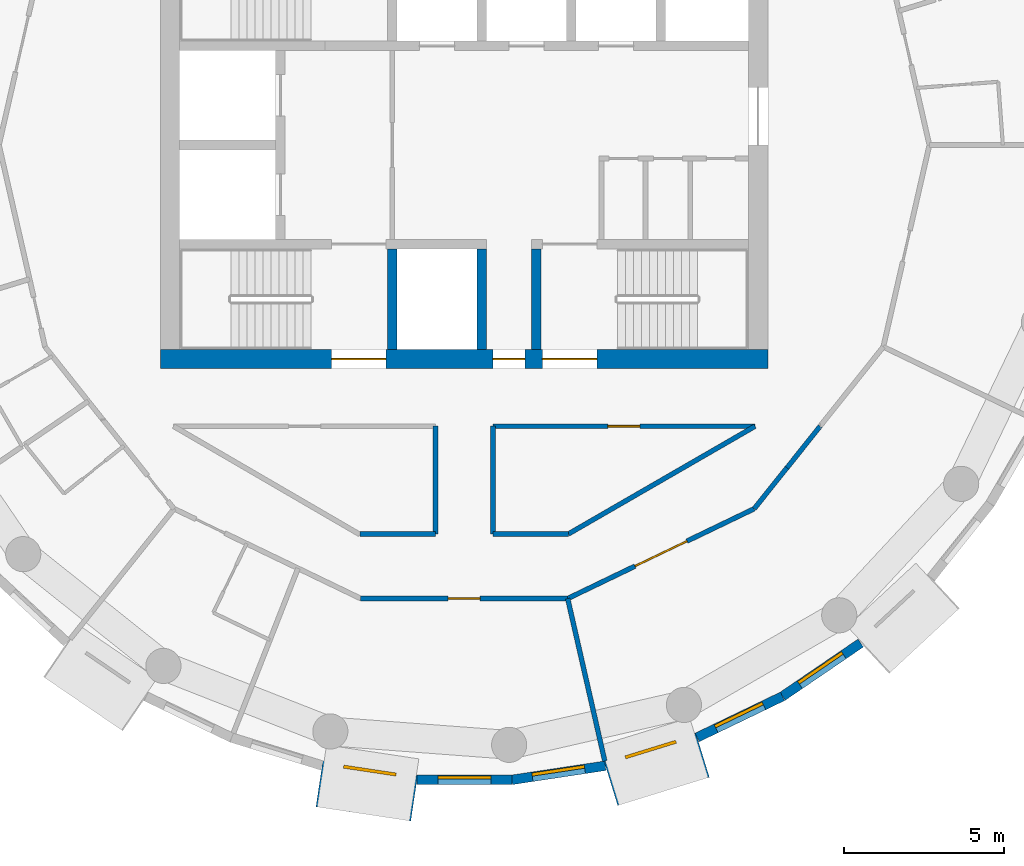
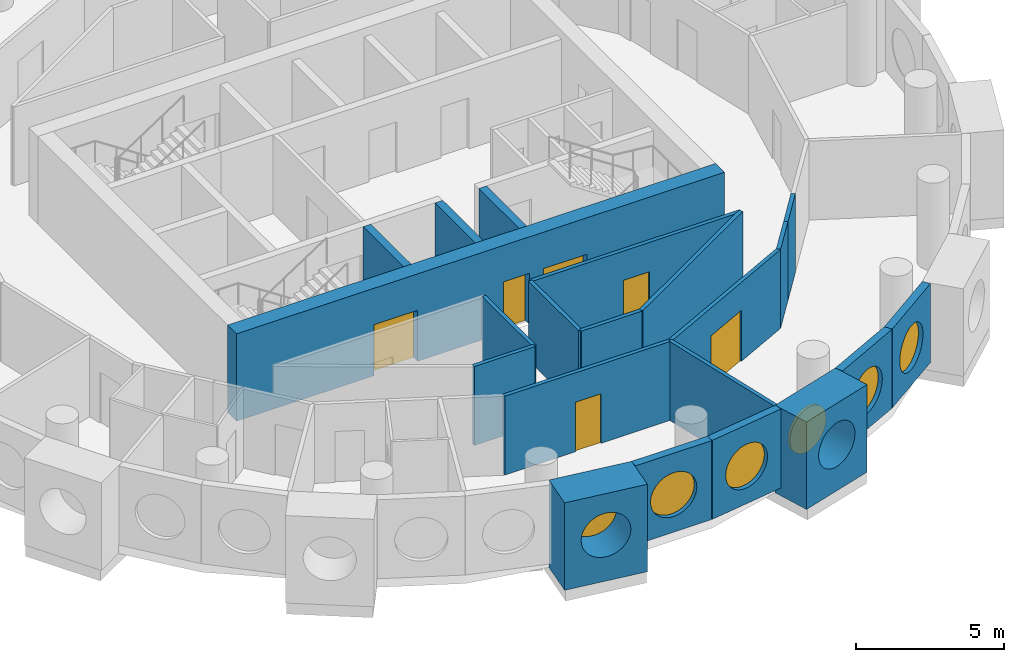
# One storey, part 4 of 13: 21 walls, 6 doors, 6 windows, 12 openings.
"""IFC4 building model written with IfcOpenShell, lengths in metres."""

from ifc_helpers import new_model, si_unit, direction, frame, frame_2d, origin, origin_2d, place, context, subcontext, project, spatial, rectangle, circle, extrude, material, layer, layer_set, type_object, element, fill, save


model = new_model("IFC4")

# Units and contexts
model_context = context("Model", 3, precision=1e-05, world=origin(), true_north=direction((0.0, 1.0)))
body_context = subcontext(model_context, "Body", "Model", "MODEL_VIEW")
ifc_project = project(units=[si_unit("LENGTHUNIT", "METRE"), si_unit("AREAUNIT", "SQUARE_METRE"), si_unit("VOLUMEUNIT", "CUBIC_METRE"), si_unit("PLANEANGLEUNIT", "RADIAN"), si_unit("MASSUNIT", "GRAM", prefix="KILO")], contexts=[model_context])

# Site, building, storey
site_placement = place(None, origin())
site = spatial("IfcSite", under=ifc_project, at=site_placement, CompositionType="ELEMENT")
building_placement = place(site_placement, origin())
building = spatial("IfcBuilding", under=site, at=building_placement, Name="Tracery Tower", CompositionType="ELEMENT")
storey_placement = place(building_placement, frame((0.0, 0.0, 252.60009765625)))
storey = spatial("IfcBuildingStorey", under=building, at=storey_placement, Name="L65", CompositionType="ELEMENT", Elevation=252.60009765625)

# Wall, openings, doors
ifc_material_1 = material(Name="Concrete C40/50", Category="concrete")
ifc_layer_1 = layer(ifc_material_1, 0.60009765625)
ifc_layer_set_1 = layer_set([ifc_layer_1], Name="Core wall 600 C40")
wall_type_1 = type_object("IfcWallType", Name="Core wall 600 C40", PredefinedType="SOLIDWALL", material=ifc_layer_set_1)
wall_1_placement = place(storey_placement, frame((-9.5, -6.699951171875, 0.0), z_axis=(0.0, 0.0, 1.0), x_axis=(1.0, 0.0, 0.0)))
wall_1 = element("IfcWall", 1, at=wall_1_placement, inside=storey, type_object=wall_type_1, Name="L65 outer S", PredefinedType="SOLIDWALL", context=body_context, shape_type="SweptSolid", body=[
    extrude(rectangle(XDim=19.0, YDim=0.60009765625, at=frame_2d((9.5, 0.0))), origin(), (0.0, 0.0, 1.0), 3.599853515625),
])
opening_1_placement = place(wall_1_placement, frame((10.39990234375, 0.0, 0.0)))
opening_1 = element("IfcOpeningElement", 2, at=opening_1_placement, cuts=wall_1, Name="Opening KD16", PredefinedType="OPENING", context=body_context, shape_type="SweptSolid", body=[
    extrude(rectangle(XDim=1.0, YDim=2.10009765625, at=frame_2d((0.5, 1.050048828125))), frame((0.0, 0.300048828125, 0.0), z_axis=(0.0, -1.0, 0.0), x_axis=(1.0, 0.0, 0.0)), (0.0, 0.0, 1.0), 0.60009765625),
])
opening_2_placement = place(wall_1_placement, frame((5.35009765625, 0.0, 0.0)))
opening_2 = element("IfcOpeningElement", 3, at=opening_2_placement, cuts=wall_1, Name="Opening KD3", PredefinedType="OPENING", context=body_context, shape_type="SweptSolid", body=[
    extrude(rectangle(XDim=1.699951171875, YDim=2.10009765625, at=frame_2d((0.85009765625, 1.050048828125))), frame((0.0, 0.300048828125, 0.0), z_axis=(0.0, -1.0, 0.0), x_axis=(1.0, 0.0, 0.0)), (0.0, 0.0, 1.0), 0.60009765625),
])
opening_3_placement = place(wall_1_placement, frame((11.949951171875, 0.0, 0.0)))
opening_3 = element("IfcOpeningElement", 4, at=opening_3_placement, cuts=wall_1, Name="Opening KD3", PredefinedType="OPENING", context=body_context, shape_type="SweptSolid", body=[
    extrude(rectangle(XDim=1.699951171875, YDim=2.10009765625, at=frame_2d((0.85009765625, 1.050048828125))), frame((0.0, 0.300048828125, 0.0), z_axis=(0.0, -1.0, 0.0), x_axis=(1.0, 0.0, 0.0)), (0.0, 0.0, 1.0), 0.60009765625),
])
ifc_material_2 = material(Name="Steel fire door", Category="steel")
door_type_1 = type_object("IfcDoorType", Name="Core exit door 1000", OperationType="NOTDEFINED", PredefinedType="DOOR", material=ifc_material_2)
door_1_placement = place(opening_1_placement, origin())
door_1 = element("IfcDoor", 5, at=door_1_placement, inside=storey, type_object=door_type_1, Name="Core exit door", OperationType="SINGLE_SWING_LEFT", OverallHeight=2.10009765625, OverallWidth=1.0, PredefinedType="DOOR", context=body_context, shape_type="SweptSolid", body=[
    extrude(rectangle(XDim=1.0, YDim=2.10009765625, at=frame_2d((0.5, 1.050048828125))), frame((0.0, 0.02490234375, 0.0), z_axis=(0.0, -1.0, 0.0), x_axis=(1.0, 0.0, 0.0)), (0.0, 0.0, 1.0), 0.050048828125),
])
fill(opening_1, door_1)
ifc_material_3 = material(Name="Steel fire door", Category="steel")
door_type_2 = type_object("IfcDoorType", Name="Core stair door 1700 double", OperationType="NOTDEFINED", PredefinedType="DOOR", material=ifc_material_3)
door_2_placement = place(opening_2_placement, origin())
door_2 = element("IfcDoor", 6, at=door_2_placement, inside=storey, type_object=door_type_2, Name="Stair door ST1 exit", OperationType="DOUBLE_DOOR_SINGLE_SWING", OverallHeight=2.10009765625, OverallWidth=1.699951171875, PredefinedType="DOOR", context=body_context, shape_type="SweptSolid", body=[
    extrude(rectangle(XDim=1.699951171875, YDim=2.10009765625, at=frame_2d((0.85009765625, 1.050048828125))), frame((0.0, 0.02490234375, 0.0), z_axis=(0.0, -1.0, 0.0), x_axis=(1.0, 0.0, 0.0)), (0.0, 0.0, 1.0), 0.050048828125),
])
fill(opening_2, door_2)
door_3_placement = place(opening_3_placement, origin())
door_3 = element("IfcDoor", 7, at=door_3_placement, inside=storey, type_object=door_type_2, Name="Stair door ST2 exit", OperationType="DOUBLE_DOOR_SINGLE_SWING", OverallHeight=2.10009765625, OverallWidth=1.699951171875, PredefinedType="DOOR", context=body_context, shape_type="SweptSolid", body=[
    extrude(rectangle(XDim=1.699951171875, YDim=2.10009765625, at=frame_2d((0.85009765625, 1.050048828125))), frame((0.0, 0.02490234375, 0.0), z_axis=(0.0, -1.0, 0.0), x_axis=(1.0, 0.0, 0.0)), (0.0, 0.0, 1.0), 0.050048828125),
])
fill(opening_3, door_3)

# Wall, opening, window
ifc_material_4 = material(Name="Precast concrete C50/60", Category="concrete")
ifc_layer_2 = layer(ifc_material_4, 1.449951171875)
ifc_layer_set_2 = layer_set([ifc_layer_2], Name="Deep-set bay unit 3000 x 3600, slab edge 350")
wall_type_2 = type_object("IfcWallType", Name="Deep-set bay unit 3000 x 3600, slab edge 350", PredefinedType="ELEMENTEDWALL", material=ifc_layer_set_2)
wall_2_placement = place(storey_placement, frame((-4.52978515625, -19.9892578125, -0.35009765625), z_axis=(0.0, 0.0, 1.0), x_axis=(0.988836445254, -0.149004981587, 0.0)))
wall_2 = element("IfcWall", 8, at=wall_2_placement, inside=storey, type_object=wall_type_2, Name="Deep-set bay unit 31 at L65", PredefinedType="ELEMENTEDWALL", context=body_context, shape_type="SweptSolid", body=[
    extrude(rectangle(XDim=3.0, YDim=1.449951171875, at=frame_2d((1.5, 0.0))), origin(), (0.0, 0.0, 1.0), 3.60009765625),
])
opening_4_placement = place(wall_2_placement, frame((1.5, 0.0, 1.89990234375)))
opening_4 = element("IfcOpeningElement", 9, at=opening_4_placement, cuts=wall_2, Name="Opening WN1", PredefinedType="OPENING", context=body_context, shape_type="SweptSolid", body=[
    extrude(circle(Radius=0.9000244140625, at=origin_2d()), frame((0.0, 0.73486328125, 0.0), z_axis=(0.0, -1.0, 0.0), x_axis=(1.0, 0.0, 0.0)), (0.0, 0.0, 1.0), 1.469970703125),
])
ifc_material_5 = material(Name="Aluminium frame with tinted double glazing", Category="aluminium")
window_type = type_object("IfcWindowType", Name="Round window 1800", PartitioningType="SINGLE_PANEL", PredefinedType="WINDOW", material=ifc_material_5)
window_1_placement = place(opening_4_placement, origin())
window_1 = element("IfcWindow", 10, at=window_1_placement, inside=storey, type_object=window_type, Name="Round window 31 at L65", OverallHeight=1.800048828125, OverallWidth=1.800048828125, PartitioningType="SINGLE_PANEL", PredefinedType="WINDOW", context=body_context, shape_type="SweptSolid", body=[
    extrude(circle(Radius=0.9000244140625, at=origin_2d()), frame((0.0, 0.69482421875, 0.0), z_axis=(0.0, -1.0, 0.0), x_axis=(1.0, 0.0, 0.0)), (0.0, 0.0, 1.0), 0.10009765625),
])
fill(opening_4, window_1)

wall_3_placement = place(storey_placement, frame((4.591796875, -19.97509765625, -0.35009765625), z_axis=(0.0, 0.0, 1.0), x_axis=(0.955571139978, 0.294760574774, 0.0)))
wall_3 = element("IfcWall", 11, at=wall_3_placement, inside=storey, type_object=wall_type_2, Name="Deep-set bay unit 34 at L65", PredefinedType="ELEMENTEDWALL", context=body_context, shape_type="SweptSolid", body=[
    extrude(rectangle(XDim=3.0, YDim=1.449951171875, at=frame_2d((1.5, 0.0))), origin(), (0.0, 0.0, 1.0), 3.60009765625),
])
opening_5_placement = place(wall_3_placement, frame((1.5, 0.0, 1.89990234375)))
opening_5 = element("IfcOpeningElement", 12, at=opening_5_placement, cuts=wall_3, Name="Opening WN1", PredefinedType="OPENING", context=body_context, shape_type="SweptSolid", body=[
    extrude(circle(Radius=0.9000244140625, at=origin_2d()), frame((0.0, 0.73486328125, 0.0), z_axis=(0.0, -1.0, 0.0), x_axis=(1.0, 0.0, 0.0)), (0.0, 0.0, 1.0), 1.469970703125),
])
window_2_placement = place(opening_5_placement, origin())
window_2 = element("IfcWindow", 13, at=window_2_placement, inside=storey, type_object=window_type, Name="Round window 34 at L65", OverallHeight=1.800048828125, OverallWidth=1.800048828125, PartitioningType="SINGLE_PANEL", PredefinedType="WINDOW", context=body_context, shape_type="SweptSolid", body=[
    extrude(circle(Radius=0.9000244140625, at=origin_2d()), frame((0.0, 0.69482421875, 0.0), z_axis=(0.0, -1.0, 0.0), x_axis=(1.0, 0.0, 0.0)), (0.0, 0.0, 1.0), 0.10009765625),
])
fill(opening_5, window_2)

ifc_material_6 = material(Name="Precast concrete C50/60", Category="concrete")
ifc_layer_3 = layer(ifc_material_6, 0.300048828125)
ifc_layer_set_3 = layer_set([ifc_layer_3], Name="Facade panel 3000 x 3250")
wall_type_3 = type_object("IfcWallType", Name="Facade panel 3000 x 3250", PredefinedType="SOLIDWALL", material=ifc_layer_set_3)
wall_4_placement = place(storey_placement, frame((-1.473388671875, -19.865966796875, 0.0), z_axis=(0.0, 0.0, 1.0), x_axis=(1.0, 0.0, 0.0)))
wall_4 = element("IfcWall", 14, at=wall_4_placement, inside=storey, type_object=wall_type_3, Name="Facade panel 32 at L65", PredefinedType="SOLIDWALL", context=body_context, shape_type="SweptSolid", body=[
    extrude(rectangle(XDim=2.962158203125, YDim=0.300048828125, at=frame_2d((1.48095703125, 0.0))), origin(), (0.0, 0.0, 1.0), 3.25),
])
opening_6_placement = place(wall_4_placement, frame((1.48095703125, 0.0, 1.5498046875)))
opening_6 = element("IfcOpeningElement", 15, at=opening_6_placement, cuts=wall_4, Name="Opening WN1", PredefinedType="OPENING", context=body_context, shape_type="SweptSolid", body=[
    extrude(circle(Radius=0.9000244140625, at=origin_2d()), frame((0.0, 0.159912109375, 0.0), z_axis=(0.0, -1.0, 0.0), x_axis=(1.0, 0.0, 0.0)), (0.0, 0.0, 1.0), 0.320068359375),
])
window_3_placement = place(opening_6_placement, origin())
window_3 = element("IfcWindow", 16, at=window_3_placement, inside=storey, type_object=window_type, Name="Round window 32 at L65", OverallHeight=1.800048828125, OverallWidth=1.800048828125, PartitioningType="SINGLE_PANEL", PredefinedType="WINDOW", context=body_context, shape_type="SweptSolid", body=[
    extrude(circle(Radius=0.9000244140625, at=origin_2d()), frame((0.0, 0.1201171875, 0.0), z_axis=(0.0, -1.0, 0.0), x_axis=(1.0, 0.0, 0.0)), (0.0, 0.0, 1.0), 0.10009765625),
])
fill(opening_6, window_3)

wall_5_placement = place(storey_placement, frame((1.48876953125, -19.865966796875, 0.0), z_axis=(0.0, 0.0, 1.0), x_axis=(0.988835775663, 0.149009425104, 0.0)))
wall_5 = element("IfcWall", 17, at=wall_5_placement, inside=storey, type_object=wall_type_3, Name="Facade panel 33 at L65", PredefinedType="SOLIDWALL", context=body_context, shape_type="SweptSolid", body=[
    extrude(rectangle(XDim=2.962158203125, YDim=0.300048828125, at=frame_2d((1.48095703125, 0.0))), origin(), (0.0, 0.0, 1.0), 3.25),
])
opening_7_placement = place(wall_5_placement, frame((1.48095703125, 0.0, 1.5498046875)))
opening_7 = element("IfcOpeningElement", 18, at=opening_7_placement, cuts=wall_5, Name="Opening WN1", PredefinedType="OPENING", context=body_context, shape_type="SweptSolid", body=[
    extrude(circle(Radius=0.9000244140625, at=origin_2d()), frame((0.0, 0.159912109375, 0.0), z_axis=(0.0, -1.0, 0.0), x_axis=(1.0, 0.0, 0.0)), (0.0, 0.0, 1.0), 0.320068359375),
])
window_4_placement = place(opening_7_placement, origin())
window_4 = element("IfcWindow", 19, at=window_4_placement, inside=storey, type_object=window_type, Name="Round window 33 at L65", OverallHeight=1.800048828125, OverallWidth=1.800048828125, PartitioningType="SINGLE_PANEL", PredefinedType="WINDOW", context=body_context, shape_type="SweptSolid", body=[
    extrude(circle(Radius=0.9000244140625, at=origin_2d()), frame((0.0, 0.1201171875, 0.0), z_axis=(0.0, -1.0, 0.0), x_axis=(1.0, 0.0, 0.0)), (0.0, 0.0, 1.0), 0.10009765625),
])
fill(opening_7, window_4)

wall_6_placement = place(storey_placement, frame((7.2919921875, -18.5380859375, 0.0), z_axis=(0.0, 0.0, 1.0), x_axis=(0.90095513435, 0.433912255978, 0.0)))
wall_6 = element("IfcWall", 20, at=wall_6_placement, inside=storey, type_object=wall_type_3, Name="Facade panel 35 at L65", PredefinedType="SOLIDWALL", context=body_context, shape_type="SweptSolid", body=[
    extrude(rectangle(XDim=2.96240234375, YDim=0.300048828125, at=frame_2d((1.481201171875, 0.0))), origin(), (0.0, 0.0, 1.0), 3.25),
])
opening_8_placement = place(wall_6_placement, frame((1.48095703125, 0.0, 1.5498046875)))
opening_8 = element("IfcOpeningElement", 21, at=opening_8_placement, cuts=wall_6, Name="Opening WN1", PredefinedType="OPENING", context=body_context, shape_type="SweptSolid", body=[
    extrude(circle(Radius=0.9000244140625, at=origin_2d()), frame((0.0, 0.159912109375, 0.0), z_axis=(0.0, -1.0, 0.0), x_axis=(1.0, 0.0, 0.0)), (0.0, 0.0, 1.0), 0.320068359375),
])
window_5_placement = place(opening_8_placement, origin())
window_5 = element("IfcWindow", 22, at=window_5_placement, inside=storey, type_object=window_type, Name="Round window 35 at L65", OverallHeight=1.800048828125, OverallWidth=1.800048828125, PartitioningType="SINGLE_PANEL", PredefinedType="WINDOW", context=body_context, shape_type="SweptSolid", body=[
    extrude(circle(Radius=0.9000244140625, at=origin_2d()), frame((0.0, 0.1201171875, 0.0), z_axis=(0.0, -1.0, 0.0), x_axis=(1.0, 0.0, 0.0)), (0.0, 0.0, 1.0), 0.10009765625),
])
fill(opening_8, window_5)

wall_7_placement = place(storey_placement, frame((9.9609375, -17.252685546875, 0.0), z_axis=(0.0, 0.0, 1.0), x_axis=(0.826236061068, 0.563324037646, 0.0)))
wall_7 = element("IfcWall", 23, at=wall_7_placement, inside=storey, type_object=wall_type_3, Name="Facade panel 36 at L65", PredefinedType="SOLIDWALL", context=body_context, shape_type="SweptSolid", body=[
    extrude(rectangle(XDim=2.962158203125, YDim=0.300048828125, at=frame_2d((1.48095703125, 0.0))), origin(), (0.0, 0.0, 1.0), 3.25),
])
opening_9_placement = place(wall_7_placement, frame((1.48095703125, 0.0, 1.5498046875)))
opening_9 = element("IfcOpeningElement", 24, at=opening_9_placement, cuts=wall_7, Name="Opening WN1", PredefinedType="OPENING", context=body_context, shape_type="SweptSolid", body=[
    extrude(circle(Radius=0.9000244140625, at=origin_2d()), frame((0.0, 0.159912109375, 0.0), z_axis=(0.0, -1.0, 0.0), x_axis=(1.0, 0.0, 0.0)), (0.0, 0.0, 1.0), 0.320068359375),
])
window_6_placement = place(opening_9_placement, origin())
window_6 = element("IfcWindow", 25, at=window_6_placement, inside=storey, type_object=window_type, Name="Round window 36 at L65", OverallHeight=1.800048828125, OverallWidth=1.800048828125, PartitioningType="SINGLE_PANEL", PredefinedType="WINDOW", context=body_context, shape_type="SweptSolid", body=[
    extrude(circle(Radius=0.9000244140625, at=origin_2d()), frame((0.0, 0.1201171875, 0.0), z_axis=(0.0, -1.0, 0.0), x_axis=(1.0, 0.0, 0.0)), (0.0, 0.0, 1.0), 0.10009765625),
])
fill(opening_9, window_6)

# Wall
ifc_material_7 = material(Name="Plasterboard on steel studs", Category="steel")
ifc_layer_4 = layer(ifc_material_7, 0.14990234375)
ifc_layer_set_4 = layer_set([ifc_layer_4], Name="Partition 150 acoustic unit wall")
wall_type_4 = type_object("IfcWallType", Name="Partition 150 acoustic unit wall", PredefinedType="PARTITIONING", material=ifc_layer_set_4)
wall_8_placement = place(storey_placement, frame((3.239013671875, -14.19189453125, 0.0), z_axis=(0.0, 0.0, 1.0), x_axis=(0.222612505682, -0.974907007008, 0.0)))
element("IfcWall", 26, at=wall_8_placement, inside=storey, type_object=wall_type_4, Name="Unit wall RC3-080", PredefinedType="PARTITIONING", context=body_context, shape_type="SweptSolid", body=[
    extrude(rectangle(XDim=5.21484375, YDim=0.14990234375, at=frame_2d((2.607421875, 0.0))), origin(), (0.0, 0.0, 1.0), 3.25),
])

# Wall, opening, door
ifc_material_8 = material(Name="Plasterboard on steel studs", Category="steel")
ifc_layer_5 = layer(ifc_material_8, 0.14990234375)
ifc_layer_set_5 = layer_set([ifc_layer_5], Name="Partition 150 corridor wall")
wall_type_5 = type_object("IfcWallType", Name="Partition 150 corridor wall", PredefinedType="PARTITIONING", material=ifc_layer_set_5)
wall_9_placement = place(storey_placement, frame((0.89599609375, -8.800048828125, 0.0), z_axis=(0.0, 0.0, 1.0), x_axis=(1.0, 0.0, 0.0)))
wall_9 = element("IfcWall", 27, at=wall_9_placement, inside=storey, type_object=wall_type_5, Name="Corridor wall RC3-014", PredefinedType="PARTITIONING", context=body_context, shape_type="SweptSolid", body=[
    extrude(rectangle(XDim=8.20458984375, YDim=0.14990234375, at=frame_2d((4.102294921875, 0.0))), origin(), (0.0, 0.0, 1.0), 3.25),
])
opening_10_placement = place(wall_9_placement, frame((3.597900390625, 0.0, 0.0)))
opening_10 = element("IfcOpeningElement", 28, at=opening_10_placement, cuts=wall_9, Name="Opening RC3-04", PredefinedType="OPENING", context=body_context, shape_type="SweptSolid", body=[
    extrude(rectangle(XDim=1.0, YDim=2.0400390625, at=frame_2d((0.5, 1.02001953125))), frame((0.0, 0.074951171875, 0.0), z_axis=(0.0, -1.0, 0.0), x_axis=(1.0, 0.0, 0.0)), (0.0, 0.0, 1.0), 0.14990234375),
])
ifc_material_9 = material(Name="Timber door leaf", Category="wood")
door_type_3 = type_object("IfcDoorType", Name="Door communal room 1000", OperationType="NOTDEFINED", PredefinedType="DOOR", material=ifc_material_9)
door_4_placement = place(opening_10_placement, origin())
door_4 = element("IfcDoor", 29, at=door_4_placement, inside=storey, type_object=door_type_3, Name="Communal room door RC3-04", OperationType="SINGLE_SWING_RIGHT", OverallHeight=2.0400390625, OverallWidth=1.0, PredefinedType="DOOR", context=body_context, shape_type="SweptSolid", body=[
    extrude(rectangle(XDim=1.0, YDim=2.0400390625, at=frame_2d((0.5, 1.02001953125))), frame((0.0, 0.02490234375, 0.0), z_axis=(0.0, -1.0, 0.0), x_axis=(1.0, 0.0, 0.0)), (0.0, 0.0, 1.0), 0.050048828125),
])
fill(opening_10, door_4)

# Walls
wall_10_placement = place(storey_placement, frame((10.10107421875, -10.10107421875, 0.0), z_axis=(0.0, 0.0, 1.0), x_axis=(0.623098344652, 0.782143498913, 0.0)))
element("IfcWall", 30, at=wall_10_placement, inside=storey, type_object=wall_type_5, Name="Corridor wall RC3-020", PredefinedType="PARTITIONING", context=body_context, shape_type="SweptSolid", body=[
    extrude(rectangle(XDim=1.660888671875, YDim=0.14990234375, at=frame_2d((0.83056640625, 0.0))), origin(), (0.0, 0.0, 1.0), 3.25),
])
wall_11_placement = place(storey_placement, frame((-3.260986328125, -12.1708984375, 0.0), z_axis=(0.0, 0.0, 1.0), x_axis=(1.0, 0.0, 0.0)))
element("IfcWall", 31, at=wall_11_placement, inside=storey, type_object=wall_type_5, Name="Corridor wall RC3-038", PredefinedType="PARTITIONING", context=body_context, shape_type="SweptSolid", body=[
    extrude(rectangle(XDim=2.361083984375, YDim=0.14990234375, at=frame_2d((1.1806640625, 0.0))), origin(), (0.0, 0.0, 1.0), 3.25),
])
for number, where, z_axis, x_axis, name in (
    (32, (-0.89990234375, -12.1708984375, 0.0), (0.0, 0.0, 1.0), (0.0, 1.0, 0.0), "Corridor wall RC3-039"),
    (33, (0.89990234375, -12.1708984375, 0.0), (0.0, 0.0, 1.0), (0.0, 1.0, 0.0), "Corridor wall RC3-040"),
):
    element("IfcWall", number, at=place(storey_placement, frame(where, z_axis=z_axis, x_axis=x_axis)), inside=storey, type_object=wall_type_5, Name=name, PredefinedType="PARTITIONING", context=body_context, shape_type="SweptSolid", body=[
        extrude(rectangle(XDim=3.370849609375, YDim=0.14990234375, at=frame_2d((1.685546875, 0.0))), origin(), (0.0, 0.0, 1.0), 3.25),
    ])
wall_12_placement = place(storey_placement, frame((0.89990234375, -12.1708984375, 0.0), z_axis=(0.0, 0.0, 1.0), x_axis=(1.0, 0.0, 0.0)))
element("IfcWall", 34, at=wall_12_placement, inside=storey, type_object=wall_type_5, Name="Corridor wall RC3-041", PredefinedType="PARTITIONING", context=body_context, shape_type="SweptSolid", body=[
    extrude(rectangle(XDim=2.361083984375, YDim=0.14990234375, at=frame_2d((1.1806640625, 0.0))), origin(), (0.0, 0.0, 1.0), 3.25),
])
wall_13_placement = place(storey_placement, frame((3.260986328125, -12.1708984375, 0.0), z_axis=(0.0, 0.0, 1.0), x_axis=(0.866066809554, 0.499928276245, 0.0)))
element("IfcWall", 35, at=wall_13_placement, inside=storey, type_object=wall_type_5, Name="Corridor wall RC3-042", PredefinedType="PARTITIONING", context=body_context, shape_type="SweptSolid", body=[
    extrude(rectangle(XDim=6.74267578125, YDim=0.14990234375, at=frame_2d((3.371337890625, 0.0))), origin(), (0.0, 0.0, 1.0), 3.25),
])

# Wall, opening, door
wall_14_placement = place(storey_placement, frame((-3.239013671875, -14.19189453125, 0.0), z_axis=(0.0, 0.0, 1.0), x_axis=(1.0, 0.0, 0.0)))
wall_14 = element("IfcWall", 36, at=wall_14_placement, inside=storey, type_object=wall_type_5, Name="Corridor wall RC3-044", PredefinedType="PARTITIONING", context=body_context, shape_type="SweptSolid", body=[
    extrude(rectangle(XDim=6.47802734375, YDim=0.14990234375, at=frame_2d((3.239013671875, 0.0))), origin(), (0.0, 0.0, 1.0), 3.25),
])
opening_11_placement = place(wall_14_placement, frame((2.739013671875, 0.0, 0.0)))
opening_11 = element("IfcOpeningElement", 37, at=opening_11_placement, cuts=wall_14, Name="Opening RC3-24", PredefinedType="OPENING", context=body_context, shape_type="SweptSolid", body=[
    extrude(rectangle(XDim=1.0, YDim=2.0400390625, at=frame_2d((0.5, 1.02001953125))), frame((0.0, 0.074951171875, 0.0), z_axis=(0.0, -1.0, 0.0), x_axis=(1.0, 0.0, 0.0)), (0.0, 0.0, 1.0), 0.14990234375),
])
door_5_placement = place(opening_11_placement, origin())
door_5 = element("IfcDoor", 38, at=door_5_placement, inside=storey, type_object=door_type_3, Name="Communal room door RC3-24", OperationType="SINGLE_SWING_RIGHT", OverallHeight=2.0400390625, OverallWidth=1.0, PredefinedType="DOOR", context=body_context, shape_type="SweptSolid", body=[
    extrude(rectangle(XDim=1.0, YDim=2.0400390625, at=frame_2d((0.5, 1.02001953125))), frame((0.0, 0.02490234375, 0.0), z_axis=(0.0, -1.0, 0.0), x_axis=(1.0, 0.0, 0.0)), (0.0, 0.0, 1.0), 0.050048828125),
])
fill(opening_11, door_5)

# Wall
wall_15_placement = place(storey_placement, frame((9.075927734375, -11.381103515625, 0.0), z_axis=(0.0, 0.0, 1.0), x_axis=(0.623805208652, 0.781579849829, 0.0)))
element("IfcWall", 39, at=wall_15_placement, inside=storey, type_object=wall_type_5, Name="Corridor wall RC3-045", PredefinedType="PARTITIONING", context=body_context, shape_type="SweptSolid", body=[
    extrude(rectangle(XDim=1.64013671875, YDim=0.14990234375, at=frame_2d((0.820068359375, 0.0))), origin(), (0.0, 0.0, 1.0), 3.25),
])

# Wall, opening, door
wall_16_placement = place(storey_placement, frame((3.239013671875, -14.19189453125, 0.0), z_axis=(0.0, 0.0, 1.0), x_axis=(0.900976027191, 0.433868872388, 0.0)))
wall_16 = element("IfcWall", 40, at=wall_16_placement, inside=storey, type_object=wall_type_5, Name="Corridor wall RC3-046", PredefinedType="PARTITIONING", context=body_context, shape_type="SweptSolid", body=[
    extrude(rectangle(XDim=6.478515625, YDim=0.14990234375, at=frame_2d((3.2392578125, 0.0))), origin(), (0.0, 0.0, 1.0), 3.25),
])
opening_12_placement = place(wall_16_placement, frame((2.339599609375, 0.0, 0.0)))
opening_12 = element("IfcOpeningElement", 41, at=opening_12_placement, cuts=wall_16, Name="Opening RC3-25", PredefinedType="OPENING", context=body_context, shape_type="SweptSolid", body=[
    extrude(rectangle(XDim=1.800048828125, YDim=2.10009765625, at=frame_2d((0.89990234375, 1.050048828125))), frame((0.0, 0.074951171875, 0.0), z_axis=(0.0, -1.0, 0.0), x_axis=(1.0, 0.0, 0.0)), (0.0, 0.0, 1.0), 0.14990234375),
])
ifc_material_10 = material(Name="Timber door leaf", Category="wood")
door_type_4 = type_object("IfcDoorType", Name="Door double lounge 1800", OperationType="NOTDEFINED", PredefinedType="DOOR", material=ifc_material_10)
door_6_placement = place(opening_12_placement, origin())
door_6 = element("IfcDoor", 42, at=door_6_placement, inside=storey, type_object=door_type_4, Name="Double lounge door RC3-25", OperationType="DOUBLE_DOOR_SINGLE_SWING", OverallHeight=2.10009765625, OverallWidth=1.800048828125, PredefinedType="DOOR", context=body_context, shape_type="SweptSolid", body=[
    extrude(rectangle(XDim=1.800048828125, YDim=2.10009765625, at=frame_2d((0.89990234375, 1.050048828125))), frame((0.0, 0.02490234375, 0.0), z_axis=(0.0, -1.0, 0.0), x_axis=(1.0, 0.0, 0.0)), (0.0, 0.0, 1.0), 0.050048828125),
])
fill(opening_12, door_6)

# Walls
ifc_material_11 = material(Name="Concrete C40/50", Category="concrete")
ifc_layer_6 = layer(ifc_material_11, 0.300048828125)
ifc_layer_set_6 = layer_set([ifc_layer_6], Name="Shaft wall 300 C40")
wall_type_6 = type_object("IfcWallType", Name="Shaft wall 300 C40", PredefinedType="SOLIDWALL", material=ifc_layer_set_6)
wall_17_placement = place(storey_placement, frame((0.550048828125, -6.39990234375, 0.0), z_axis=(0.0, 0.0, 1.0), x_axis=(0.0, 1.0, 0.0)))
element("IfcWall", 43, at=wall_17_placement, inside=storey, type_object=wall_type_6, Name="L65 OB2 E", PredefinedType="SOLIDWALL", context=body_context, shape_type="SweptSolid", body=[
    extrude(rectangle(XDim=3.14990234375, YDim=0.300048828125, at=frame_2d((1.574951171875, 0.0))), origin(), (0.0, 0.0, 1.0), 3.25),
])
ifc_material_12 = material(Name="Concrete C40/50", Category="concrete")
ifc_layer_7 = layer(ifc_material_12, 0.300048828125)
ifc_layer_set_7 = layer_set([ifc_layer_7], Name="Stair wall 300 C40")
wall_type_7 = type_object("IfcWallType", Name="Stair wall 300 C40", PredefinedType="SOLIDWALL", material=ifc_layer_set_7)
for number, where, z_axis, x_axis, name in (
    (44, (-2.25, -6.39990234375, 0.0), (0.0, 0.0, 1.0), (0.0, 1.0, 0.0), "L65 ST1 E"),
    (45, (2.25, -6.39990234375, 0.0), (0.0, 0.0, 1.0), (0.0, 1.0, 0.0), "L65 ST2 W"),
):
    element("IfcWall", number, at=place(storey_placement, frame(where, z_axis=z_axis, x_axis=x_axis)), inside=storey, type_object=wall_type_7, Name=name, PredefinedType="SOLIDWALL", context=body_context, shape_type="SweptSolid", body=[
        extrude(rectangle(XDim=3.14990234375, YDim=0.300048828125, at=frame_2d((1.574951171875, 0.0))), origin(), (0.0, 0.0, 1.0), 3.25),
    ])

save(model, "model.ifc")
